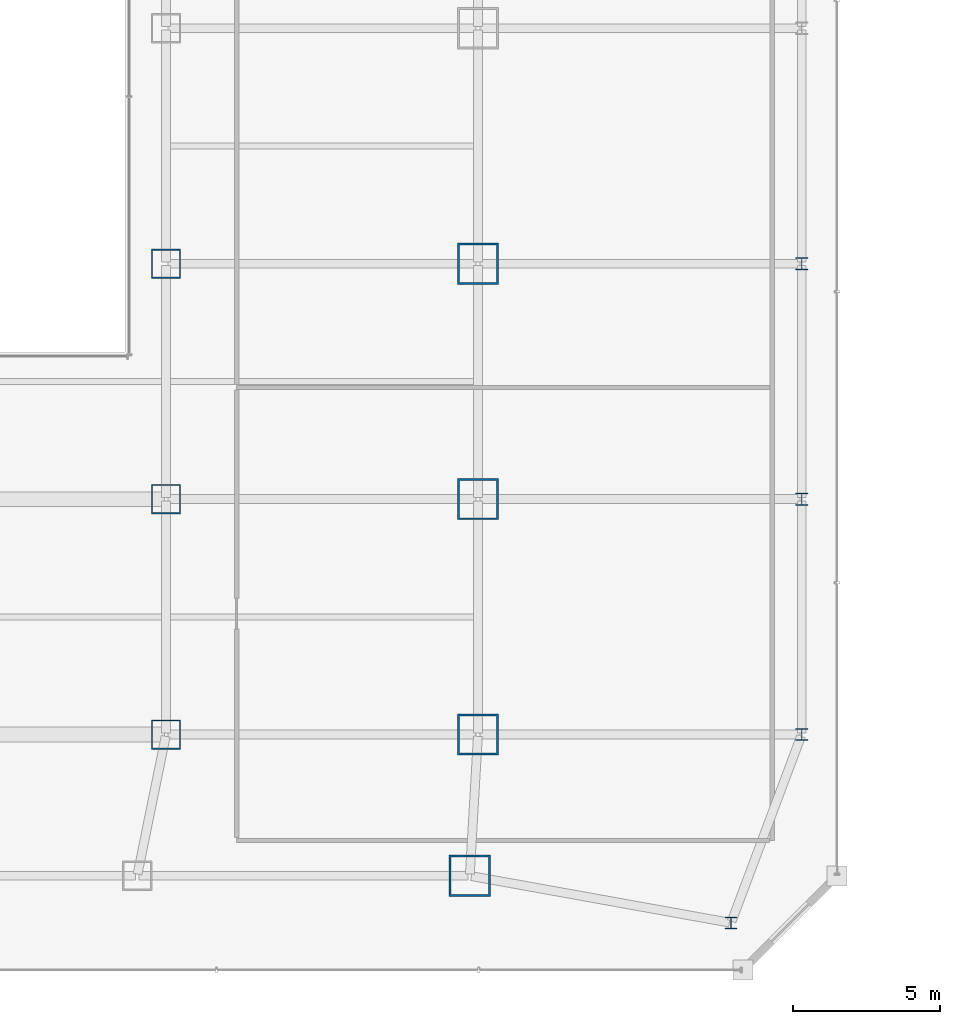
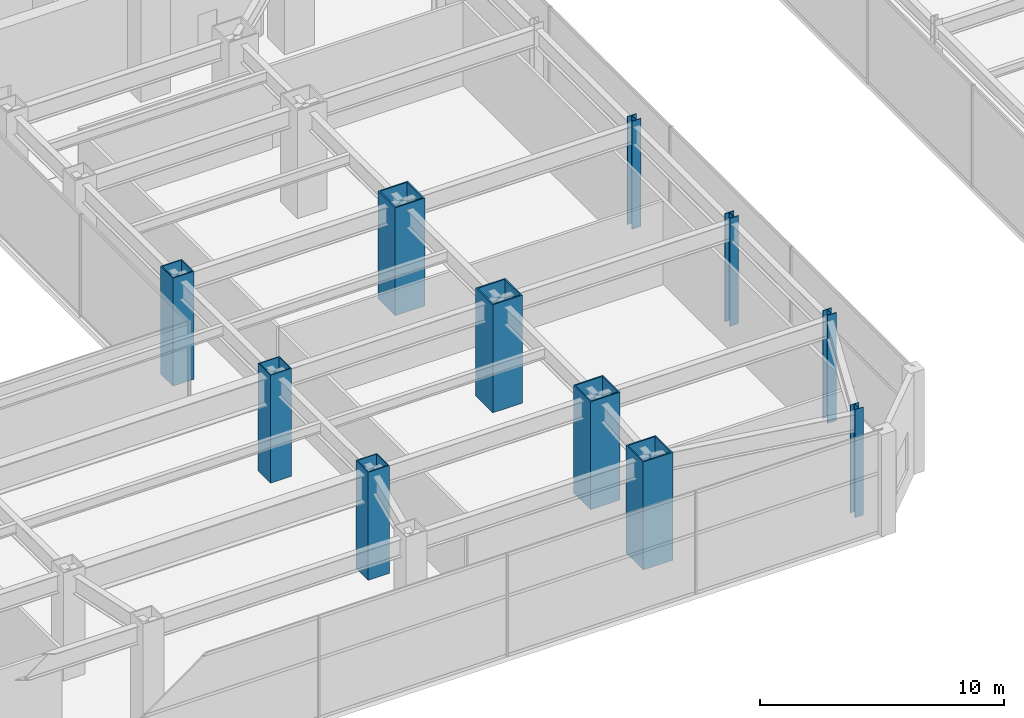
# One storey, part 2 of 51: 11 columns.
"""IFC4 building model written with IfcOpenShell, lengths in metres."""

from ifc_helpers import new_model, si_unit, direction, frame, origin, origin_2d, place, context, subcontext, project, spatial, hollow_rectangle, i_section, extrude, material, material_profile, profile_set, type_object, element, save


model = new_model("IFC4")

# Units and contexts
model_context = context("Model", 3, precision=1e-05, world=origin(), true_north=direction((0.0, 1.0)))
body_context = subcontext(model_context, "Body", "Model", "MODEL_VIEW")
ifc_project = project(units=[si_unit("LENGTHUNIT", "METRE"), si_unit("AREAUNIT", "SQUARE_METRE"), si_unit("VOLUMEUNIT", "CUBIC_METRE"), si_unit("PLANEANGLEUNIT", "RADIAN"), si_unit("MASSUNIT", "GRAM", prefix="KILO")], contexts=[model_context])

# Site, building, storey
site_placement = place(None, origin())
site = spatial("IfcSite", under=ifc_project, at=site_placement, CompositionType="ELEMENT")
building_placement = place(site_placement, origin())
building = spatial("IfcBuilding", under=site, at=building_placement, Name="Saevonmaru Cultural Tower", CompositionType="ELEMENT")
storey_placement = place(building_placement, frame((0.0, 0.0, 6.0)))
storey = spatial("IfcBuildingStorey", under=building, at=storey_placement, Name="L01", CompositionType="ELEMENT", Elevation=6.0)

# Columns
ifc_material_1 = material(Name="Steel SM420", Category="steel")
ifc_material_profile_1 = material_profile(ifc_material_1, hollow_rectangle(XDim=1.0, YDim=1.0, WallThickness=0.044921875, at=origin_2d()), Name="BOX-1000x1000x45")
ifc_profile_set_1 = profile_set([ifc_material_profile_1], Name="Steel SM420")
column_type_1 = type_object("IfcColumnType", Name="COL-BOX-1000", PredefinedType="COLUMN", material=ifc_profile_set_1)
for number, where, z_axis, x_axis, name in (
    (1, (37.199951171875, 8.0, 0.0), (0.0, 0.0, 1.0), (1.0, 0.0, 0.0), "L01 Column PC-E2-B"),
    (2, (37.199951171875, 16.0, 0.0), (0.0, 0.0, 1.0), (1.0, 0.0, 0.0), "L01 Column PC-E2-C"),
    (3, (37.199951171875, 24.0, 0.0), (0.0, 0.0, 1.0), (1.0, 0.0, 0.0), "L01 Column PC-E2-D"),
):
    element("IfcColumn", number, at=place(storey_placement, frame(where, z_axis=z_axis, x_axis=x_axis)), inside=storey, type_object=column_type_1, Name=name, PredefinedType="COLUMN", context=body_context, shape_type="SweptSolid", body=[
        extrude(hollow_rectangle(XDim=1.0, YDim=1.0, WallThickness=0.044921875, at=origin_2d()), origin(), (0.0, 0.0, 1.0), 5.39990234375),
    ])
ifc_material_2 = material(Name="Steel HSA600 (600 MPa)", Category="steel")
ifc_material_profile_2 = material_profile(ifc_material_2, hollow_rectangle(XDim=1.39990234375, YDim=1.39990234375, WallThickness=0.06494140625, at=origin_2d()), Name="BOX-1400x1400x65")
ifc_profile_set_2 = profile_set([ifc_material_profile_2], Name="Steel HSA600 (600 MPa)")
column_type_2 = type_object("IfcColumnType", Name="COL-BOX-1400", PredefinedType="COLUMN", material=ifc_profile_set_2)
for number, where, z_axis, x_axis, name in (
    (4, (47.52001953125, 3.199951171875, 0.0), (0.0, 0.0, 1.0), (1.0, 0.0, 0.0), "L01 Column PC-E1-A"),
    (5, (47.800048828125, 8.0, 0.0), (0.0, 0.0, 1.0), (1.0, 0.0, 0.0), "L01 Column PC-E1-B"),
    (6, (47.800048828125, 16.0, 0.0), (0.0, 0.0, 1.0), (1.0, 0.0, 0.0), "L01 Column PC-E1-C"),
    (7, (47.800048828125, 24.0, 0.0), (0.0, 0.0, 1.0), (1.0, 0.0, 0.0), "L01 Column PC-E1-D"),
):
    element("IfcColumn", number, at=place(storey_placement, frame(where, z_axis=z_axis, x_axis=x_axis)), inside=storey, type_object=column_type_2, Name=name, PredefinedType="COLUMN", context=body_context, shape_type="SweptSolid", body=[
        extrude(hollow_rectangle(XDim=1.39990234375, YDim=1.39990234375, WallThickness=0.06494140625, at=origin_2d()), origin(), (0.0, 0.0, 1.0), 5.39990234375),
    ])
ifc_material_3 = material(Name="Steel SM355", Category="steel")
ifc_material_profile_3 = material_profile(ifc_material_3, i_section(OverallWidth=0.39990234375, OverallDepth=0.39990234375, WebThickness=0.012939453125, FlangeThickness=0.02099609375, FilletRadius=0.02197265625, at=origin_2d()), Name="H-400x400x13x21")
ifc_profile_set_3 = profile_set([ifc_material_profile_3], Name="Steel SM355")
column_type_3 = type_object("IfcColumnType", Name="COL-H-400", PredefinedType="COLUMN", material=ifc_profile_set_3)
column_placement = place(storey_placement, frame((56.39990234375, 1.60009765625, 0.0), z_axis=(0.0, 0.0, 1.0), x_axis=(1.0, 0.0, 0.0)))
element("IfcColumn", 8, at=column_placement, inside=storey, type_object=column_type_3, Name="L01 Column PC-PS-SE", PredefinedType="COLUMN", context=body_context, shape_type="SweptSolid", body=[
    extrude(i_section(OverallWidth=0.39990234375, OverallDepth=0.39990234375, WebThickness=0.012939453125, FlangeThickness=0.02099609375, FilletRadius=0.02197265625, at=origin_2d()), origin(), (0.0, 0.0, 1.0), 5.39990234375),
])
ifc_material_profile_4 = material_profile(ifc_material_1, i_section(OverallWidth=0.419921875, OverallDepth=0.419921875, WebThickness=0.02001953125, FlangeThickness=0.034912109375, FilletRadius=0.02197265625, at=origin_2d()), Name="H-428x407x20x35")
ifc_profile_set_4 = profile_set([ifc_material_profile_4], Name="Steel SM420")
column_type_4 = type_object("IfcColumnType", Name="COL-H-428", PredefinedType="COLUMN", material=ifc_profile_set_4)
for number, where, z_axis, x_axis, name in (
    (9, (58.800048828125, 8.0, 0.0), (0.0, 0.0, 1.0), (1.0, 0.0, 0.0), "L01 Column PC-PE-B"),
    (10, (58.800048828125, 16.0, 0.0), (0.0, 0.0, 1.0), (1.0, 0.0, 0.0), "L01 Column PC-PE-C"),
    (11, (58.800048828125, 24.0, 0.0), (0.0, 0.0, 1.0), (1.0, 0.0, 0.0), "L01 Column PC-PE-D"),
):
    element("IfcColumn", number, at=place(storey_placement, frame(where, z_axis=z_axis, x_axis=x_axis)), inside=storey, type_object=column_type_4, Name=name, PredefinedType="COLUMN", context=body_context, shape_type="SweptSolid", body=[
        extrude(i_section(OverallWidth=0.419921875, OverallDepth=0.419921875, WebThickness=0.02001953125, FlangeThickness=0.034912109375, FilletRadius=0.02197265625, at=origin_2d()), origin(), (0.0, 0.0, 1.0), 5.39990234375),
    ])

save(model, "model.ifc")
